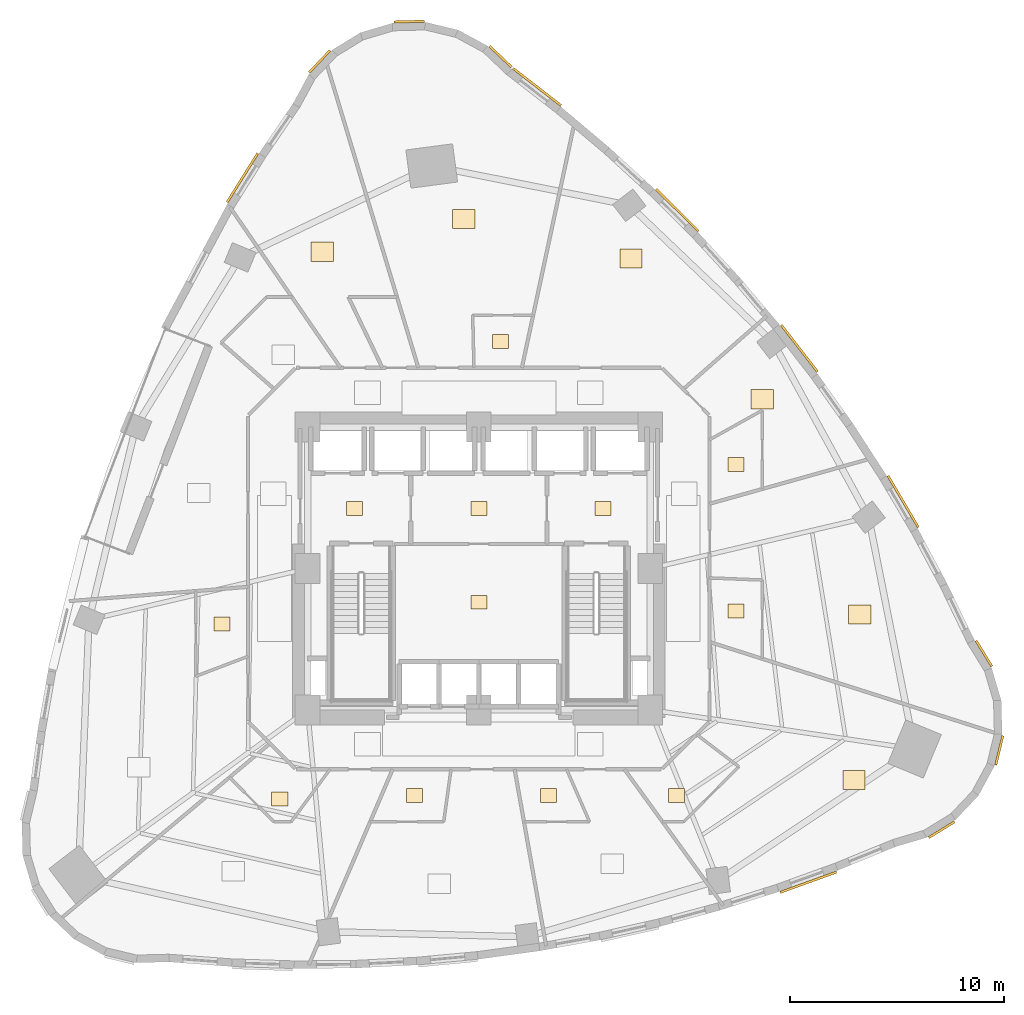
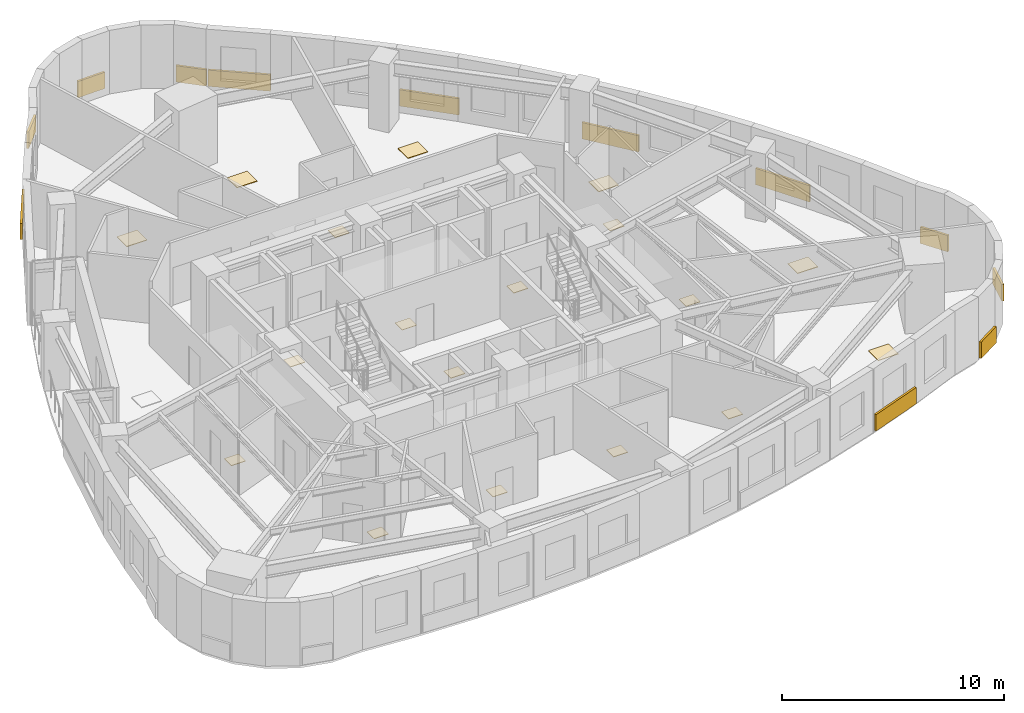
# One storey, part 12 of 12: 30 coverings.
"""IFC4 building model written with IfcOpenShell, lengths in metres."""

import ifcopenshell
import ifcopenshell.guid

model = None  # the IFC model being written
_history = None  # IfcOwnerHistory: only IFC2X3 demands one
_inside = {}  # id of a spatial element -> (the spatial element, [elements in it])
_under = {}  # id of a project, library or spatial element -> (it, [spatial elements below it])
_declared = {}  # id of a project -> (the project, [libraries it declares])
_typed = {}  # id of a type object -> (the type object, [elements of that type])
_made_of = {}  # id of a material, layer set ... -> (it, [elements and type objects made of it])


def new_model(schema):
    """Start an empty IFC model of exactly this schema.

    Asked for "IFC4X3", IfcOpenShell would pick the latest addendum, in which some entities
    have other attributes; the version numbers below select the first issue.
    IFC2X3 requires an IfcOwnerHistory on every rooted entity: one is made here for all.
    """
    global model, _history
    if schema == "IFC4X3":
        model = ifcopenshell.file(schema_version=(4, 3, 0, 0))
    else:
        model = ifcopenshell.file(schema=schema)
    _inside.clear()
    _under.clear()
    _declared.clear()
    _typed.clear()
    _made_of.clear()
    _history = None
    if model.schema == "IFC2X3":
        org = make("IfcOrganization", Name="unknown")
        user = make(
            "IfcPersonAndOrganization",
            ThePerson=make("IfcPerson", FamilyName="unknown"),
            TheOrganization=org,
        )
        app = make(
            "IfcApplication",
            ApplicationDeveloper=org,
            Version="unknown",
            ApplicationFullName="unknown",
            ApplicationIdentifier="unknown",
        )
        _history = make(
            "IfcOwnerHistory",
            OwningUser=user,
            OwningApplication=app,
            ChangeAction="ADDED",
            CreationDate=0,
        )
    return model


def make(cls, **values):
    """One entity of the class cls with the attributes given. An attribute that is None is left unset."""
    return model.create_entity(
        cls, **{name: value for name, value in values.items() if value is not None}
    )


def rooted(cls, **values):
    """An entity with a GlobalId (a new one), such as an element, a storey or a relation."""
    return make(cls, GlobalId=ifcopenshell.guid.new(), OwnerHistory=_history, **values)


def si_unit(unit_type, name, prefix=None):
    """IfcSIUnit, for example si_unit("LENGTHUNIT", "METRE", prefix="MILLI")."""
    return make("IfcSIUnit", UnitType=unit_type, Prefix=prefix, Name=name)


def assignment(units):
    """IfcUnitAssignment: the units of a project."""
    return None if units is None else make("IfcUnitAssignment", Units=units)


def point(xyz):
    """IfcCartesianPoint."""
    return None if xyz is None else make("IfcCartesianPoint", Coordinates=xyz)


def direction(xyz):
    """IfcDirection."""
    return None if xyz is None else make("IfcDirection", DirectionRatios=xyz)


def frame(location, z_axis=None, x_axis=None):
    """IfcAxis2Placement3D, a coordinate frame: its origin and axes. An axis left out is left unset."""
    return make(
        "IfcAxis2Placement3D",
        Location=point(location),
        Axis=direction(z_axis),
        RefDirection=direction(x_axis),
    )


def frame_2d(location, x_axis=None):
    """IfcAxis2Placement2D, a coordinate frame in the plane: its origin and x axis."""
    return make(
        "IfcAxis2Placement2D", Location=point(location), RefDirection=direction(x_axis)
    )


def origin():
    """The frame at (0, 0, 0) with its axes left unset."""
    return frame((0.0, 0.0, 0.0))


def origin_2d():
    """The frame at (0, 0) in the plane with its x axis left unset."""
    return frame_2d((0.0, 0.0))


def place(relative_to, where):
    """IfcLocalPlacement: puts the frame where relative to a parent placement (None: the world)."""
    return make(
        "IfcLocalPlacement", PlacementRelTo=relative_to, RelativePlacement=where
    )


def context(
    kind, dimensions, precision=None, world=None, true_north=None, identifier=None
):
    """IfcGeometricRepresentationContext, for example the 3D "Model" context."""
    return make(
        "IfcGeometricRepresentationContext",
        ContextIdentifier=identifier,
        ContextType=kind,
        CoordinateSpaceDimension=dimensions,
        Precision=precision,
        WorldCoordinateSystem=world,
        TrueNorth=true_north,
    )


def subcontext(parent, identifier, kind, view, scale=None):
    """IfcGeometricRepresentationSubContext, for example "Body" below "Model"."""
    return make(
        "IfcGeometricRepresentationSubContext",
        ContextIdentifier=identifier,
        ContextType=kind,
        ParentContext=parent,
        TargetScale=scale,
        TargetView=view,
    )


def project(units=None, contexts=None):
    """IfcProject with its units and contexts."""
    return rooted(
        "IfcProject",
        Name="project",
        RepresentationContexts=contexts,
        UnitsInContext=assignment(units),
    )


def spatial(cls, under=None, at=None, **own):
    """A site, building, storey or space (cls), placed at a placement, below another one or the project."""
    s = rooted(cls, ObjectPlacement=at, **own)
    if under is not None:
        _under.setdefault(under.id(), (under, []))[1].append(s)
    return s


def profile(cls, at=None, kind="AREA", **sizes):
    """A parametric profile (cls). Its sizes go by their IFC names, for example OverallWidth=200.0."""
    return make(cls, ProfileType=kind, Position=at, **sizes)


def rectangle(**sizes):
    """IfcRectangleProfileDef."""
    return profile("IfcRectangleProfileDef", **sizes)


def extrude(swept, where, along, depth):
    """IfcExtrudedAreaSolid: the profile swept, set in the frame where, extruded along a direction by depth."""
    return make(
        "IfcExtrudedAreaSolid",
        SweptArea=swept,
        Position=where,
        ExtrudedDirection=direction(along),
        Depth=depth,
    )


def shape(context_of_items, identifier, shape_type, items):
    """IfcShapeRepresentation: the items that make up one representation, for example the "Body"."""
    return make(
        "IfcShapeRepresentation",
        ContextOfItems=context_of_items,
        RepresentationIdentifier=identifier,
        RepresentationType=shape_type,
        Items=items,
    )


def material(Name=None, Category=None):
    """IfcMaterial."""
    return make("IfcMaterial", Name=Name, Category=Category)


def layer(
    of_material, thickness, ventilated=None, Name=None, Category=None, Priority=None
):
    """IfcMaterialLayer: one layer of a wall or slab, of a material (None: an air gap)."""
    return make(
        "IfcMaterialLayer",
        Material=of_material,
        LayerThickness=thickness,
        IsVentilated=ventilated,
        Name=Name,
        Category=Category,
        Priority=Priority,
    )


def layer_set(layers, Name=None):
    """IfcMaterialLayerSet."""
    return make("IfcMaterialLayerSet", MaterialLayers=layers, LayerSetName=Name)


def made_of(thing, what):
    """Note that an element or type object is made of a material, layer set ...; save() writes the relation."""
    if what is not None:
        _made_of.setdefault(what.id(), (what, []))[1].append(thing)
    return thing


def type_object(cls, material=None, **own):
    """A type object (cls), such as IfcWallType, which elements share."""
    return made_of(rooted(cls, **own), material)


def element(
    cls,
    number,
    at=None,
    inside=None,
    cuts=None,
    type_object=None,
    material=None,
    context=None,
    identifier="Body",
    shape_type=None,
    held_by="IfcProductDefinitionShape",
    body=None,
    shapes=None,
    **own,
):
    """One element of the class cls, such as IfcWall. Its Tag is "e" and its number.

    at: its placement. inside: the storey or other place that contains it. cuts: it is an
    opening in that element (IfcRelVoidsElement). A single representation is given by context,
    identifier, shape_type and body (its items); several are given by shapes. held_by: the class
    of the entity that holds the representations. save() writes the other relations.
    """
    e = rooted(cls, Tag="e%d" % number, ObjectPlacement=at, **own)
    if body is not None:
        shapes = [shape(context, identifier, shape_type, body)]
    if shapes is not None:
        e.Representation = make(held_by, Representations=shapes)
    if inside is not None:
        _inside.setdefault(inside.id(), (inside, []))[1].append(e)
    if cuts is not None:
        rooted(
            "IfcRelVoidsElement", RelatingBuildingElement=cuts, RelatedOpeningElement=e
        )
    if type_object is not None:
        _typed.setdefault(type_object.id(), (type_object, []))[1].append(e)
    return made_of(e, material)


def aggregate(whole, parts):
    """IfcRelAggregates: a whole, such as a stair, and the parts it consists of."""
    return rooted("IfcRelAggregates", RelatingObject=whole, RelatedObjects=parts)


def save(model, path):
    """Write the relations noted so far, then the file.

    IfcRelAggregates (storeys below a building ...), IfcRelContainedInSpatialStructure (elements
    in a storey), IfcRelDefinesByType, IfcRelAssociatesMaterial and IfcRelDeclares: one each for
    every whole, place, type object, material and project.
    """
    for whole, parts in _under.values():
        aggregate(whole, parts)
    for where, things in _inside.values():
        rooted(
            "IfcRelContainedInSpatialStructure",
            RelatedElements=things,
            RelatingStructure=where,
        )
    for kind, things in _typed.values():
        rooted("IfcRelDefinesByType", RelatedObjects=things, RelatingType=kind)
    for what, things in _made_of.values():
        rooted("IfcRelAssociatesMaterial", RelatedObjects=things, RelatingMaterial=what)
    for by, libraries in _declared.values():
        rooted("IfcRelDeclares", RelatingContext=by, RelatedDefinitions=libraries)
    model.write(path)


model = new_model("IFC4")

# Units and contexts
model_context = context("Model", 3, precision=1e-05, world=origin(), true_north=direction((0.0, 1.0)))
body_context = subcontext(model_context, "Body", "Model", "MODEL_VIEW")
ifc_project = project(units=[si_unit("LENGTHUNIT", "METRE"), si_unit("AREAUNIT", "SQUARE_METRE"), si_unit("VOLUMEUNIT", "CUBIC_METRE"), si_unit("PLANEANGLEUNIT", "RADIAN"), si_unit("MASSUNIT", "GRAM", prefix="KILO")], contexts=[model_context])

# Site, building, storey
site_placement = place(None, origin())
site = spatial("IfcSite", under=ifc_project, at=site_placement, CompositionType="ELEMENT")
building_placement = place(site_placement, origin())
building = spatial("IfcBuilding", under=site, at=building_placement, Name="Ndelora Gate Hotel", CompositionType="ELEMENT")
storey_placement = place(building_placement, frame((0.0, 0.0, 64.25)))
storey = spatial("IfcBuildingStorey", under=building, at=storey_placement, Name="L15", CompositionType="ELEMENT", Elevation=64.25)

# Coverings
ifc_material_1 = material(Name="Terracotta Fired Clay Brick Slip Cladding", Category="masonry")
ifc_layer_1 = layer(ifc_material_1, 0.110107421875)
ifc_layer_set_1 = layer_set([ifc_layer_1], Name="Terracotta Fired Clay Brick Slip Cladding")
covering_type_1 = type_object("IfcCoveringType", Name="COV-CLAD-BRK", PredefinedType="CLADDING", material=ifc_layer_set_1)
for number, where, z_axis, x_axis, name in (
    (1, (1.0205078125, 23.904541015625, 0.10009765625), (0.0, 0.0, 1.0), (-0.725374371012, 0.688354575694, 0.0), "L15 Rounded-Corner Brick Cladding Band 1"),
    (2, (-3.25537109375, 25.5458984375, 0.10009765625), (0.0, 0.0, 1.0), (0.999657324976, 0.026176948308, 0.0), "L15 Rounded-Corner Brick Cladding Band 4"),
    (3, (-7.439208984375, 23.682861328125, 0.10009765625), (0.0, 0.0, 1.0), (0.688354575694, 0.725374371012, 0.0), "L15 Rounded-Corner Brick Cladding Band 7"),
):
    element("IfcCovering", number, at=place(storey_placement, frame(where, z_axis=z_axis, x_axis=x_axis)), inside=storey, type_object=covering_type_1, Name=name, PredefinedType="CLADDING", context=body_context, shape_type="SweptSolid", body=[
        extrude(rectangle(XDim=1.4140625, YDim=0.110107421875, at=origin_2d()), origin(), (0.0, 0.0, 1.0), 0.89990234375),
    ])
covering_1_placement = place(storey_placement, frame((-11.041259765625, 18.250732421875, 0.10009765625), z_axis=(0.0, 0.0, 1.0), x_axis=(0.530363228518, 0.847770514843, 0.0)))
element("IfcCovering", 4, at=covering_1_placement, inside=storey, type_object=covering_type_1, Name="L15 Rounded-Corner Brick Cladding Band 10", PredefinedType="CLADDING", context=body_context, shape_type="SweptSolid", body=[
    extrude(rectangle(XDim=2.696044921875, YDim=0.110107421875, at=origin_2d()), origin(), (0.0, 0.0, 1.0), 0.89990234375),
])
covering_2_placement = place(storey_placement, frame((15.391357421875, -14.6533203125, 0.10009765625), z_axis=(0.0, 0.0, 1.0), x_axis=(0.940347520127, 0.340215433792, 0.0)))
element("IfcCovering", 5, at=covering_2_placement, inside=storey, type_object=covering_type_1, Name="L15 Rounded-Corner Brick Cladding Band 37", PredefinedType="CLADDING", context=body_context, shape_type="SweptSolid", body=[
    extrude(rectangle(XDim=2.81103515625, YDim=0.110107421875, at=origin_2d()), origin(), (0.0, 0.0, 1.0), 0.89990234375),
])
for number, where, z_axis, x_axis, name in (
    (6, (21.618896484375, -12.20068359375, 0.10009765625), (0.0, 0.0, 1.0), (0.852640164354, 0.522498564716, 0.0), "L15 Rounded-Corner Brick Cladding Band 40"),
    (7, (24.310791015625, -8.495361328125, 0.10009765625), (0.0, 0.0, 1.0), (0.233445363856, 0.972369920398, 0.0), "L15 Rounded-Corner Brick Cladding Band 43"),
    (8, (23.594482421875, -3.971923828125, 0.10009765625), (0.0, 0.0, 1.0), (-0.522498564716, 0.852640164354, 0.0), "L15 Rounded-Corner Brick Cladding Band 46"),
):
    element("IfcCovering", number, at=place(storey_placement, frame(where, z_axis=z_axis, x_axis=x_axis)), inside=storey, type_object=covering_type_1, Name=name, PredefinedType="CLADDING", context=body_context, shape_type="SweptSolid", body=[
        extrude(rectangle(XDim=1.4140625, YDim=0.110107421875, at=origin_2d()), origin(), (0.0, 0.0, 1.0), 0.89990234375),
    ])
covering_3_placement = place(storey_placement, frame((19.81884765625, 3.128662109375, 0.10009765625), z_axis=(0.0, 0.0, 1.0), x_axis=(-0.507387972573, 0.861717729473, 0.0)))
element("IfcCovering", 9, at=covering_3_placement, inside=storey, type_object=covering_type_1, Name="L15 Rounded-Corner Brick Cladding Band 49", PredefinedType="CLADDING", context=body_context, shape_type="SweptSolid", body=[
    extrude(rectangle(XDim=2.791015625, YDim=0.110107421875, at=origin_2d()), origin(), (0.0, 0.0, 1.0), 0.89990234375),
])
covering_4_placement = place(storey_placement, frame((14.974365234375, 10.2802734375, 0.10009765625), z_axis=(0.0, 0.0, 1.0), x_axis=(-0.612631200187, 0.790368909154, 0.0)))
element("IfcCovering", 10, at=covering_4_placement, inside=storey, type_object=covering_type_1, Name="L15 Rounded-Corner Brick Cladding Band 52", PredefinedType="CLADDING", context=body_context, shape_type="SweptSolid", body=[
    extrude(rectangle(XDim=2.760009765625, YDim=0.110107421875, at=origin_2d()), origin(), (0.0, 0.0, 1.0), 0.89990234375),
])
covering_5_placement = place(storey_placement, frame((9.27197265625, 16.7373046875, 0.10009765625), z_axis=(0.0, 0.0, 1.0), x_axis=(-0.708339837725, 0.705871570679, 0.0)))
element("IfcCovering", 11, at=covering_5_placement, inside=storey, type_object=covering_type_1, Name="L15 Rounded-Corner Brick Cladding Band 55", PredefinedType="CLADDING", context=body_context, shape_type="SweptSolid", body=[
    extrude(rectangle(XDim=2.77490234375, YDim=0.110107421875, at=origin_2d()), origin(), (0.0, 0.0, 1.0), 0.89990234375),
])
covering_6_placement = place(storey_placement, frame((2.712646484375, 22.499267578125, 0.10009765625), z_axis=(0.0, 0.0, 1.0), x_axis=(-0.790475821431, 0.612493245459, 0.0)))
element("IfcCovering", 12, at=covering_6_placement, inside=storey, type_object=covering_type_1, Name="L15 Rounded-Corner Brick Cladding Band 58", PredefinedType="CLADDING", context=body_context, shape_type="SweptSolid", body=[
    extrude(rectangle(XDim=2.8369140625, YDim=0.110107421875, at=origin_2d()), origin(), (0.0, 0.0, 1.0), 0.89990234375),
])
ifc_material_2 = material(Name="Engineered Highland Oak Parquet", Category="wood")
ifc_layer_2 = layer(ifc_material_2, 0.030029296875)
ifc_layer_set_2 = layer_set([ifc_layer_2], Name="Engineered Highland Oak Parquet")
covering_type_2 = type_object("IfcCoveringType", Name="COV-FLR-PARQ", PredefinedType="FLOORING", material=ifc_layer_set_2)
for number, where, z_axis, x_axis, name in (
    (13, (17.523681640625, -9.88330078125, 0.0), (0.0, 0.0, 1.0), (1.0, 0.0, 0.0), "L15 Deluxe King Junior Suite 1805 Oak Parquet Flooring"),
    (14, (17.798095703125, -2.143798828125, 0.0), (0.0, 0.0, 1.0), (1.0, 0.0, 0.0), "L15 Corner Diplomatic Suite 1806 Oak Parquet Flooring"),
    (15, (13.243896484375, 7.900146484375, 0.0), (0.0, 0.0, 1.0), (1.0, 0.0, 0.0), "L15 Twin Guest Room 1807 Oak Parquet Flooring"),
    (16, (7.107177734375, 14.476806640625, 0.0), (0.0, 0.0, 1.0), (1.0, 0.0, 0.0), "L15 Executive Meeting Room Oak Parquet Flooring"),
    (17, (-0.708984375, 16.326904296875, 0.0), (0.0, 0.0, 1.0), (1.0, 0.0, 0.0), "L15 Deluxe King Junior Suite 1808 Oak Parquet Flooring"),
    (18, (-7.3232421875, 14.798095703125, 0.0), (0.0, 0.0, 1.0), (1.0, 0.0, 0.0), "L15 Housekeeping and Linen Room Oak Parquet Flooring"),
):
    element("IfcCovering", number, at=place(storey_placement, frame(where, z_axis=z_axis, x_axis=x_axis)), inside=storey, type_object=covering_type_2, Name=name, PredefinedType="FLOORING", context=body_context, shape_type="SweptSolid", body=[
        extrude(rectangle(XDim=1.050048828125, YDim=0.89990234375, at=origin_2d()), origin(), (0.0, 0.0, 1.0), 0.030029296875),
    ])
ifc_material_3 = material(Name="Non-Slip Porcelain Wet-Room Tile", Category="ceramic")
ifc_layer_3 = layer(ifc_material_3, 0.02490234375)
ifc_layer_set_3 = layer_set([ifc_layer_3], Name="Non-Slip Porcelain Wet-Room Tile")
covering_type_3 = type_object("IfcCoveringType", Name="COV-FLR-TILE", PredefinedType="FLOORING", material=ifc_layer_set_3)
for number, where, z_axis, x_axis, name in (
    (19, (-5.800048828125, 2.800048828125, 0.0), (0.0, 0.0, 1.0), (1.0, 0.0, 0.0), "L15 Firefighting Lift Lobby West Porcelain Tile Flooring"),
    (20, (5.800048828125, 2.800048828125, 0.0), (0.0, 0.0, 1.0), (1.0, 0.0, 0.0), "L15 Firefighting Lift Lobby East Porcelain Tile Flooring"),
    (21, (0.0, 2.800048828125, 0.0), (0.0, 0.0, 1.0), (1.0, 0.0, 0.0), "L15 Central Passenger Lift Lobby Porcelain Tile Flooring"),
    (22, (0.0, -1.574951171875, 0.0), (0.0, 0.0, 1.0), (1.0, 0.0, 0.0), "L15 Core Electrical and Linen Service Store Porcelain Tile Flooring"),
    (23, (-12.0048828125, -2.58349609375, 0.0), (0.0, 0.0, 1.0), (1.0, 0.0, 0.0), "L15 En-suite Bathroom 1801 Porcelain Tile Flooring"),
    (24, (-9.2998046875, -10.772705078125, 0.0), (0.0, 0.0, 1.0), (1.0, 0.0, 0.0), "L15 En-suite Bathroom 1802 Porcelain Tile Flooring"),
    (25, (-3.00830078125, -10.60498046875, 0.0), (0.0, 0.0, 1.0), (1.0, 0.0, 0.0), "L15 En-suite Bathroom 1803 Porcelain Tile Flooring"),
    (26, (3.261962890625, -10.60498046875, 0.0), (0.0, 0.0, 1.0), (1.0, 0.0, 0.0), "L15 En-suite Bathroom 1804 Porcelain Tile Flooring"),
    (27, (9.23681640625, -10.60498046875, 0.0), (0.0, 0.0, 1.0), (1.0, 0.0, 0.0), "L15 En-suite Bathroom 1805 Porcelain Tile Flooring"),
    (28, (12.0048828125, -1.99072265625, 0.0), (0.0, 0.0, 1.0), (1.0, 0.0, 0.0), "L15 En-suite Bathroom 1806 Porcelain Tile Flooring"),
    (29, (12.0048828125, 4.866943359375, 0.0), (0.0, 0.0, 1.0), (1.0, 0.0, 0.0), "L15 En-suite Bathroom 1807 Porcelain Tile Flooring"),
    (30, (1.0087890625, 10.60498046875, 0.0), (0.0, 0.0, 1.0), (1.0, 0.0, 0.0), "L15 En-suite Bathroom 1808 Porcelain Tile Flooring"),
):
    element("IfcCovering", number, at=place(storey_placement, frame(where, z_axis=z_axis, x_axis=x_axis)), inside=storey, type_object=covering_type_3, Name=name, PredefinedType="FLOORING", context=body_context, shape_type="SweptSolid", body=[
        extrude(rectangle(XDim=0.75, YDim=0.64990234375, at=origin_2d()), origin(), (0.0, 0.0, 1.0), 0.02490234375),
    ])

save(model, "model.ifc")
